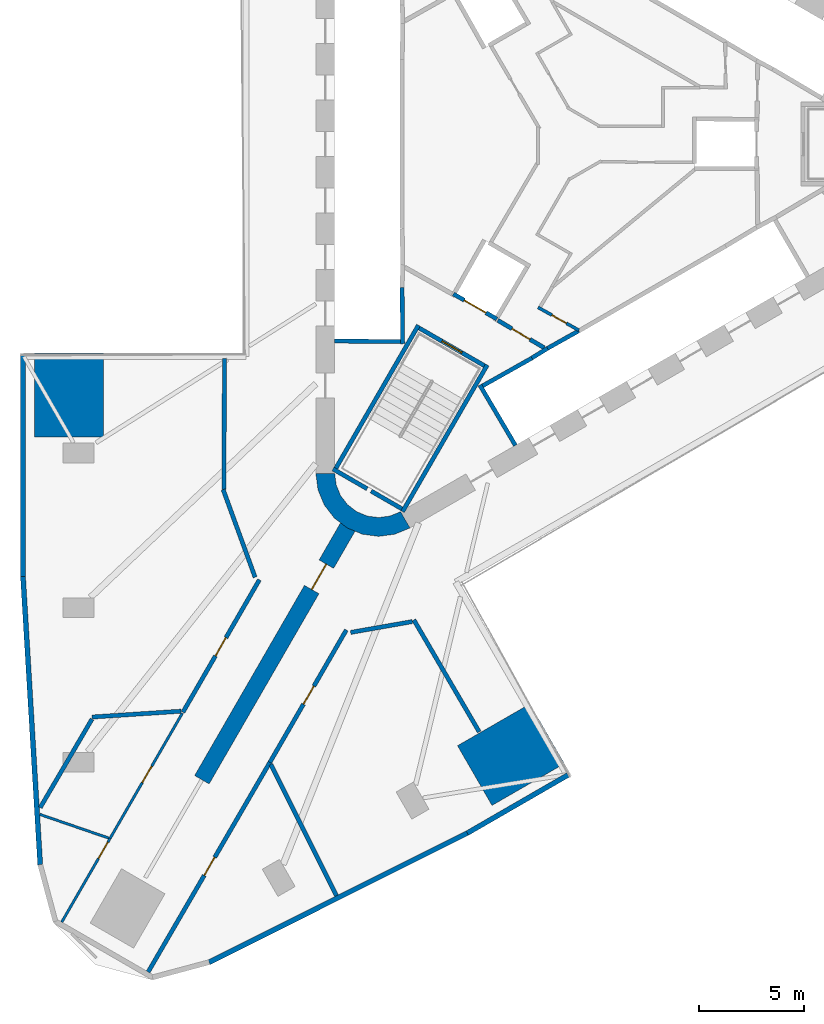
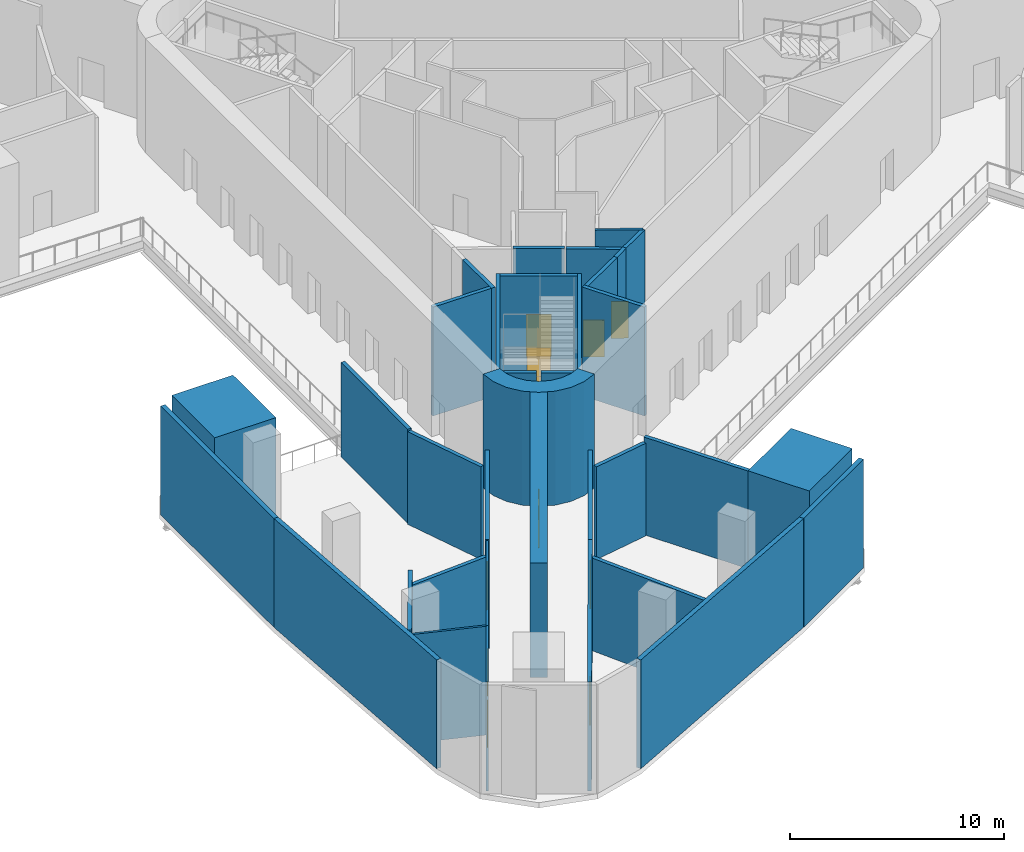
# One storey, part 3 of 11: 35 walls, 10 doors, 10 openings.
"""IFC4 building model written with IfcOpenShell, lengths in metres."""

import ifcopenshell
import ifcopenshell.guid

model = None  # the IFC model being written
_history = None  # IfcOwnerHistory: only IFC2X3 demands one
_inside = {}  # id of a spatial element -> (the spatial element, [elements in it])
_under = {}  # id of a project, library or spatial element -> (it, [spatial elements below it])
_declared = {}  # id of a project -> (the project, [libraries it declares])
_typed = {}  # id of a type object -> (the type object, [elements of that type])
_made_of = {}  # id of a material, layer set ... -> (it, [elements and type objects made of it])


def new_model(schema):
    """Start an empty IFC model of exactly this schema.

    Asked for "IFC4X3", IfcOpenShell would pick the latest addendum, in which some entities
    have other attributes; the version numbers below select the first issue.
    IFC2X3 requires an IfcOwnerHistory on every rooted entity: one is made here for all.
    """
    global model, _history
    if schema == "IFC4X3":
        model = ifcopenshell.file(schema_version=(4, 3, 0, 0))
    else:
        model = ifcopenshell.file(schema=schema)
    _inside.clear()
    _under.clear()
    _declared.clear()
    _typed.clear()
    _made_of.clear()
    _history = None
    if model.schema == "IFC2X3":
        org = make("IfcOrganization", Name="unknown")
        user = make(
            "IfcPersonAndOrganization",
            ThePerson=make("IfcPerson", FamilyName="unknown"),
            TheOrganization=org,
        )
        app = make(
            "IfcApplication",
            ApplicationDeveloper=org,
            Version="unknown",
            ApplicationFullName="unknown",
            ApplicationIdentifier="unknown",
        )
        _history = make(
            "IfcOwnerHistory",
            OwningUser=user,
            OwningApplication=app,
            ChangeAction="ADDED",
            CreationDate=0,
        )
    return model


def make(cls, **values):
    """One entity of the class cls with the attributes given. An attribute that is None is left unset."""
    return model.create_entity(
        cls, **{name: value for name, value in values.items() if value is not None}
    )


def rooted(cls, **values):
    """An entity with a GlobalId (a new one), such as an element, a storey or a relation."""
    return make(cls, GlobalId=ifcopenshell.guid.new(), OwnerHistory=_history, **values)


def si_unit(unit_type, name, prefix=None):
    """IfcSIUnit, for example si_unit("LENGTHUNIT", "METRE", prefix="MILLI")."""
    return make("IfcSIUnit", UnitType=unit_type, Prefix=prefix, Name=name)


def assignment(units):
    """IfcUnitAssignment: the units of a project."""
    return None if units is None else make("IfcUnitAssignment", Units=units)


def point(xyz):
    """IfcCartesianPoint."""
    return None if xyz is None else make("IfcCartesianPoint", Coordinates=xyz)


def direction(xyz):
    """IfcDirection."""
    return None if xyz is None else make("IfcDirection", DirectionRatios=xyz)


def frame(location, z_axis=None, x_axis=None):
    """IfcAxis2Placement3D, a coordinate frame: its origin and axes. An axis left out is left unset."""
    return make(
        "IfcAxis2Placement3D",
        Location=point(location),
        Axis=direction(z_axis),
        RefDirection=direction(x_axis),
    )


def frame_2d(location, x_axis=None):
    """IfcAxis2Placement2D, a coordinate frame in the plane: its origin and x axis."""
    return make(
        "IfcAxis2Placement2D", Location=point(location), RefDirection=direction(x_axis)
    )


def origin():
    """The frame at (0, 0, 0) with its axes left unset."""
    return frame((0.0, 0.0, 0.0))


def place(relative_to, where):
    """IfcLocalPlacement: puts the frame where relative to a parent placement (None: the world)."""
    return make(
        "IfcLocalPlacement", PlacementRelTo=relative_to, RelativePlacement=where
    )


def context(
    kind, dimensions, precision=None, world=None, true_north=None, identifier=None
):
    """IfcGeometricRepresentationContext, for example the 3D "Model" context."""
    return make(
        "IfcGeometricRepresentationContext",
        ContextIdentifier=identifier,
        ContextType=kind,
        CoordinateSpaceDimension=dimensions,
        Precision=precision,
        WorldCoordinateSystem=world,
        TrueNorth=true_north,
    )


def subcontext(parent, identifier, kind, view, scale=None):
    """IfcGeometricRepresentationSubContext, for example "Body" below "Model"."""
    return make(
        "IfcGeometricRepresentationSubContext",
        ContextIdentifier=identifier,
        ContextType=kind,
        ParentContext=parent,
        TargetScale=scale,
        TargetView=view,
    )


def project(units=None, contexts=None):
    """IfcProject with its units and contexts."""
    return rooted(
        "IfcProject",
        Name="project",
        RepresentationContexts=contexts,
        UnitsInContext=assignment(units),
    )


def spatial(cls, under=None, at=None, **own):
    """A site, building, storey or space (cls), placed at a placement, below another one or the project."""
    s = rooted(cls, ObjectPlacement=at, **own)
    if under is not None:
        _under.setdefault(under.id(), (under, []))[1].append(s)
    return s


def polyline(points):
    """IfcPolyline through the points."""
    return make("IfcPolyline", Points=[point(p) for p in points])


def profile(cls, at=None, kind="AREA", **sizes):
    """A parametric profile (cls). Its sizes go by their IFC names, for example OverallWidth=200.0."""
    return make(cls, ProfileType=kind, Position=at, **sizes)


def rectangle(**sizes):
    """IfcRectangleProfileDef."""
    return profile("IfcRectangleProfileDef", **sizes)


def outline(outer, holes=None, kind="AREA"):
    """IfcArbitraryClosedProfileDef: a profile drawn as a closed curve; with holes, ...WithVoids."""
    if holes is None:
        return make("IfcArbitraryClosedProfileDef", ProfileType=kind, OuterCurve=outer)
    return make(
        "IfcArbitraryProfileDefWithVoids",
        ProfileType=kind,
        OuterCurve=outer,
        InnerCurves=holes,
    )


def extrude(swept, where, along, depth):
    """IfcExtrudedAreaSolid: the profile swept, set in the frame where, extruded along a direction by depth."""
    return make(
        "IfcExtrudedAreaSolid",
        SweptArea=swept,
        Position=where,
        ExtrudedDirection=direction(along),
        Depth=depth,
    )


def shape(context_of_items, identifier, shape_type, items):
    """IfcShapeRepresentation: the items that make up one representation, for example the "Body"."""
    return make(
        "IfcShapeRepresentation",
        ContextOfItems=context_of_items,
        RepresentationIdentifier=identifier,
        RepresentationType=shape_type,
        Items=items,
    )


def material(Name=None, Category=None):
    """IfcMaterial."""
    return make("IfcMaterial", Name=Name, Category=Category)


def layer(
    of_material, thickness, ventilated=None, Name=None, Category=None, Priority=None
):
    """IfcMaterialLayer: one layer of a wall or slab, of a material (None: an air gap)."""
    return make(
        "IfcMaterialLayer",
        Material=of_material,
        LayerThickness=thickness,
        IsVentilated=ventilated,
        Name=Name,
        Category=Category,
        Priority=Priority,
    )


def layer_set(layers, Name=None):
    """IfcMaterialLayerSet."""
    return make("IfcMaterialLayerSet", MaterialLayers=layers, LayerSetName=Name)


def made_of(thing, what):
    """Note that an element or type object is made of a material, layer set ...; save() writes the relation."""
    if what is not None:
        _made_of.setdefault(what.id(), (what, []))[1].append(thing)
    return thing


def type_object(cls, material=None, **own):
    """A type object (cls), such as IfcWallType, which elements share."""
    return made_of(rooted(cls, **own), material)


def element(
    cls,
    number,
    at=None,
    inside=None,
    cuts=None,
    type_object=None,
    material=None,
    context=None,
    identifier="Body",
    shape_type=None,
    held_by="IfcProductDefinitionShape",
    body=None,
    shapes=None,
    **own,
):
    """One element of the class cls, such as IfcWall. Its Tag is "e" and its number.

    at: its placement. inside: the storey or other place that contains it. cuts: it is an
    opening in that element (IfcRelVoidsElement). A single representation is given by context,
    identifier, shape_type and body (its items); several are given by shapes. held_by: the class
    of the entity that holds the representations. save() writes the other relations.
    """
    e = rooted(cls, Tag="e%d" % number, ObjectPlacement=at, **own)
    if body is not None:
        shapes = [shape(context, identifier, shape_type, body)]
    if shapes is not None:
        e.Representation = make(held_by, Representations=shapes)
    if inside is not None:
        _inside.setdefault(inside.id(), (inside, []))[1].append(e)
    if cuts is not None:
        rooted(
            "IfcRelVoidsElement", RelatingBuildingElement=cuts, RelatedOpeningElement=e
        )
    if type_object is not None:
        _typed.setdefault(type_object.id(), (type_object, []))[1].append(e)
    return made_of(e, material)


def fill(opening, filler):
    """IfcRelFillsElement: the door or window that sits in an opening."""
    return rooted(
        "IfcRelFillsElement",
        RelatingOpeningElement=opening,
        RelatedBuildingElement=filler,
    )


def aggregate(whole, parts):
    """IfcRelAggregates: a whole, such as a stair, and the parts it consists of."""
    return rooted("IfcRelAggregates", RelatingObject=whole, RelatedObjects=parts)


def save(model, path):
    """Write the relations noted so far, then the file.

    IfcRelAggregates (storeys below a building ...), IfcRelContainedInSpatialStructure (elements
    in a storey), IfcRelDefinesByType, IfcRelAssociatesMaterial and IfcRelDeclares: one each for
    every whole, place, type object, material and project.
    """
    for whole, parts in _under.values():
        aggregate(whole, parts)
    for where, things in _inside.values():
        rooted(
            "IfcRelContainedInSpatialStructure",
            RelatedElements=things,
            RelatingStructure=where,
        )
    for kind, things in _typed.values():
        rooted("IfcRelDefinesByType", RelatedObjects=things, RelatingType=kind)
    for what, things in _made_of.values():
        rooted("IfcRelAssociatesMaterial", RelatedObjects=things, RelatingMaterial=what)
    for by, libraries in _declared.values():
        rooted("IfcRelDeclares", RelatingContext=by, RelatedDefinitions=libraries)
    model.write(path)


model = new_model("IFC4")

# Units and contexts
model_context = context("Model", 3, precision=1e-05, world=origin(), true_north=direction((0.0, 1.0)))
body_context = subcontext(model_context, "Body", "Model", "MODEL_VIEW")
ifc_project = project(units=[si_unit("LENGTHUNIT", "METRE"), si_unit("AREAUNIT", "SQUARE_METRE"), si_unit("VOLUMEUNIT", "CUBIC_METRE"), si_unit("PLANEANGLEUNIT", "RADIAN"), si_unit("MASSUNIT", "GRAM", prefix="KILO")], contexts=[model_context])

# Site, building, storey
site_placement = place(None, origin())
site = spatial("IfcSite", under=ifc_project, at=site_placement, CompositionType="ELEMENT")
building_placement = place(site_placement, origin())
building = spatial("IfcBuilding", under=site, at=building_placement, Name="Tanit Gate Tower", CompositionType="ELEMENT")
storey_placement = place(building_placement, frame((0.0, 0.0, 9.0)))
storey = spatial("IfcBuildingStorey", under=building, at=storey_placement, Name="L01", CompositionType="ELEMENT", Elevation=9.0)

# Wall, opening, door
ifc_material_1 = material(Name="Concrete C60/75", Category="concrete")
ifc_layer_1 = layer(ifc_material_1, 0.800048828125)
ifc_layer_set_1 = layer_set([ifc_layer_1], Name="BUTTRESS FIN 800 C60/75")
wall_type_1 = type_object("IfcWallType", Name="BUTTRESS FIN 800 C60/75", PredefinedType="SHEAR", material=ifc_layer_set_1)
wall_1_placement = place(storey_placement, frame((-10.574951171875, -18.31640625, 0.0), z_axis=(0.0, 0.0, 1.0), x_axis=(-0.499996575515, -0.866027380903, 0.0)))
wall_1 = element("IfcWall", 1, at=wall_1_placement, inside=storey, type_object=wall_type_1, Name="BUTTRESS FIN", PredefinedType="SHEAR", context=body_context, shape_type="SweptSolid", body=[
    extrude(rectangle(XDim=13.9541015625, YDim=0.800048828125, at=frame_2d((6.97705078125, 0.0))), origin(), (0.0, 0.0, 1.0), 6.5),
])
opening_1_placement = place(wall_1_placement, frame((2.050048828125, 0.0, 0.0)))
opening_1 = element("IfcOpeningElement", 2, at=opening_1_placement, cuts=wall_1, Name="Opening P14-01-F-SW-1", PredefinedType="OPENING", context=body_context, shape_type="SweptSolid", body=[
    extrude(rectangle(XDim=1.39990234375, YDim=2.39990234375, at=frame_2d((0.699951171875, 1.199951171875))), frame((0.0, 0.41015625, 0.0), z_axis=(0.0, -1.0, 0.0), x_axis=(1.0, 0.0, 0.0)), (0.0, 0.0, 1.0), 0.820068359375),
])
ifc_material_2 = material(Name="Timber door leaf", Category="wood")
door_type_1 = type_object("IfcDoorType", Name="INT-DOOR-FIN-PAIR-1400", OperationType="NOTDEFINED", PredefinedType="NOTDEFINED", material=ifc_material_2)
door_1_placement = place(opening_1_placement, origin())
door_1 = element("IfcDoor", 3, at=door_1_placement, inside=storey, type_object=door_type_1, Name="Door P14-01-F-SW-1", OperationType="DOUBLE_DOOR_SINGLE_SWING", OverallHeight=2.39990234375, OverallWidth=1.39990234375, PredefinedType="NOTDEFINED", context=body_context, shape_type="SweptSolid", body=[
    extrude(rectangle(XDim=1.39990234375, YDim=2.39990234375, at=frame_2d((0.699951171875, 1.199951171875))), frame((0.0, 0.02490234375, 0.0), z_axis=(0.0, -1.0, 0.0), x_axis=(1.0, 0.0, 0.0)), (0.0, 0.0, 1.0), 0.050048828125),
])
fill(opening_1, door_1)

# Walls
ifc_material_3 = material(Name="Concrete C60/75", Category="concrete")
ifc_layer_2 = layer(ifc_material_3, 0.89990234375)
ifc_layer_set_2 = layer_set([ifc_layer_2], Name="CORE WALL 900 C60/75")
wall_type_2 = type_object("IfcWallType", Name="CORE WALL 900 C60/75", PredefinedType="SHEAR", material=ifc_layer_set_2)
wall_2_placement = place(storey_placement, origin())
element("IfcWall", 4, at=wall_2_placement, inside=storey, type_object=wall_type_2, Name="CORE WALL CORNER", PredefinedType="SHEAR", context=body_context, shape_type="SweptSolid", body=[
    extrude(outline(polyline([(-12.10009765625, -15.76171875), (-11.997802734375, -16.5380859375), (-11.697998046875, -17.26171875), (-11.22119140625, -17.883056640625), (-10.60009765625, -18.359619140625), (-9.87646484375, -18.659423828125), (-9.10009765625, -18.76171875), (-8.323486328125, -18.659423828125), (-7.60009765625, -18.359619140625), (-8.050048828125, -17.580322265625), (-8.556396484375, -17.7900390625), (-9.10009765625, -17.86181640625), (-9.6435546875, -17.7900390625), (-10.14990234375, -17.580322265625), (-10.5849609375, -17.24658203125), (-10.918701171875, -16.811767578125), (-11.12841796875, -16.30517578125), (-11.199951171875, -15.76171875), (-12.10009765625, -15.76171875)])), origin(), (0.0, 0.0, 1.0), 6.5),
])
ifc_material_4 = material(Name="Concrete C30/37 with bronze anodised aluminium cladding", Category="concrete")
ifc_layer_3 = layer(ifc_material_4, 0.239990234375)
ifc_layer_set_3 = layer_set([ifc_layer_3], Name="Facade wall bronze clad 240")
wall_type_3 = type_object("IfcWallType", Name="Facade wall bronze clad 240", PredefinedType="SOLIDWALL", material=ifc_layer_set_3)
wall_3_placement = place(storey_placement, frame((-26.107666015625, -10.119384765625, 0.0), z_axis=(0.0, 0.0, 1.0), x_axis=(6.9319284e-05, -0.999999997597, 0.0)))
element("IfcWall", 5, at=wall_3_placement, inside=storey, type_object=wall_type_3, Name="Bronze-clad facade wall L01 W2b", PredefinedType="SOLIDWALL", context=body_context, shape_type="SweptSolid", body=[
    extrude(rectangle(XDim=10.56591796875, YDim=0.239990234375, at=frame_2d((5.282958984375, 0.0))), origin(), (0.0, 0.0, 1.0), 6.199951171875),
])
wall_4_placement = place(storey_placement, frame((-26.10693359375, -20.685302734375, 0.0), z_axis=(0.0, 0.0, 1.0), x_axis=(0.059596169304, -0.998222568671, 0.0)))
element("IfcWall", 6, at=wall_4_placement, inside=storey, type_object=wall_type_3, Name="Bronze-clad facade wall L01 W3", PredefinedType="SOLIDWALL", context=body_context, shape_type="SweptSolid", body=[
    extrude(rectangle(XDim=13.80126953125, YDim=0.239990234375, at=frame_2d((6.900634765625, 0.0))), origin(), (0.0, 0.0, 1.0), 6.199951171875),
])
wall_5_placement = place(storey_placement, frame((-17.202880859375, -39.1279296875, 0.0), z_axis=(0.0, 0.0, 1.0), x_axis=(0.894377655106, 0.447312653573, 0.0)))
element("IfcWall", 7, at=wall_5_placement, inside=storey, type_object=wall_type_3, Name="Bronze-clad facade wall L01 SE1", PredefinedType="SOLIDWALL", context=body_context, shape_type="SweptSolid", body=[
    extrude(rectangle(XDim=13.801513671875, YDim=0.239990234375, at=frame_2d((6.90087890625, 0.0))), origin(), (0.0, 0.0, 1.0), 6.199951171875),
])
wall_6_placement = place(storey_placement, frame((-4.859130859375, -32.954345703125, 0.0), z_axis=(0.0, 0.0, 1.0), x_axis=(0.865999312459, 0.500045188778, 0.0)))
element("IfcWall", 8, at=wall_6_placement, inside=storey, type_object=wall_type_3, Name="Bronze-clad facade wall L01 SE2a", PredefinedType="SOLIDWALL", context=body_context, shape_type="SweptSolid", body=[
    extrude(rectangle(XDim=5.56591796875, YDim=0.239990234375, at=frame_2d((2.782958984375, 0.0))), origin(), (0.0, 0.0, 1.0), 6.199951171875),
])

# Wall, opening, door
ifc_material_5 = material(Name="Fire-rated gypsum board partition")
ifc_layer_4 = layer(ifc_material_5, 0.199951171875)
ifc_layer_set_4 = layer_set([ifc_layer_4], Name="INT-WALL-COMPARTMENT")
wall_type_4 = type_object("IfcWallType", Name="INT-WALL-COMPARTMENT", PredefinedType="PARTITIONING", material=ifc_layer_set_4)
wall_7_placement = place(storey_placement, frame((-3.400634765625, -8.43017578125, 0.0), z_axis=(0.0, 0.0, 1.0), x_axis=(0.860598681535, -0.509283721849, 0.0)))
wall_7 = element("IfcWall", 9, at=wall_7_placement, inside=storey, type_object=wall_type_4, Name="Wall Compartment W067", PredefinedType="PARTITIONING", context=body_context, shape_type="SweptSolid", body=[
    extrude(rectangle(XDim=2.5810546875, YDim=0.199951171875, at=frame_2d((1.29052734375, 0.0))), origin(), (0.0, 0.0, 1.0), 6.199951171875),
])
opening_2_placement = place(wall_7_placement, frame((0.79052734375, 0.0, 0.0)))
opening_2 = element("IfcOpeningElement", 10, at=opening_2_placement, cuts=wall_7, Name="Opening F10-01-08", PredefinedType="OPENING", context=body_context, shape_type="SweptSolid", body=[
    extrude(rectangle(XDim=1.0, YDim=2.10009765625, at=frame_2d((0.5, 1.050048828125))), frame((0.0, 0.10986328125, 0.0), z_axis=(0.0, -1.0, 0.0), x_axis=(1.0, 0.0, 0.0)), (0.0, 0.0, 1.0), 0.219970703125),
])
ifc_material_6 = material(Name="Fire-rated steel door leaf", Category="steel")
door_type_2 = type_object("IfcDoorType", Name="INT-DOOR-FIRE-1000", OperationType="NOTDEFINED", PredefinedType="USERDEFINED", material=ifc_material_6)
door_2_placement = place(opening_2_placement, origin())
door_2 = element("IfcDoor", 11, at=door_2_placement, inside=storey, type_object=door_type_2, Name="Door F10-01-08", ObjectType="FIRE DOOR", OperationType="SINGLE_SWING_RIGHT", OverallHeight=2.10009765625, OverallWidth=1.0, PredefinedType="USERDEFINED", context=body_context, shape_type="SweptSolid", body=[
    extrude(rectangle(XDim=1.0, YDim=2.10009765625, at=frame_2d((0.5, 1.050048828125))), frame((0.0, 0.02490234375, 0.0), z_axis=(0.0, -1.0, 0.0), x_axis=(1.0, 0.0, 0.0)), (0.0, 0.0, 1.0), 0.050048828125),
])
fill(opening_2, door_2)

wall_8_placement = place(storey_placement, frame((-18.458740234375, -27.171630859375, 0.0), z_axis=(0.0, 0.0, 1.0), x_axis=(0.49998445949, 0.866034375916, 0.0)))
wall_8 = element("IfcWall", 12, at=wall_8_placement, inside=storey, type_object=wall_type_4, Name="Wall Compartment W096", PredefinedType="PARTITIONING", context=body_context, shape_type="SweptSolid", body=[
    extrude(rectangle(XDim=7.313232421875, YDim=0.199951171875, at=frame_2d((3.65673828125, 0.0))), origin(), (0.0, 0.0, 1.0), 6.199951171875),
])
opening_3_placement = place(wall_8_placement, frame((3.114501953125, 0.0, 0.0)))
opening_3 = element("IfcOpeningElement", 13, at=opening_3_placement, cuts=wall_8, Name="Opening F10-01-18", PredefinedType="OPENING", context=body_context, shape_type="SweptSolid", body=[
    extrude(rectangle(XDim=1.0, YDim=2.10009765625, at=frame_2d((0.5, 1.050048828125))), frame((0.0, 0.10986328125, 0.0), z_axis=(0.0, -1.0, 0.0), x_axis=(1.0, 0.0, 0.0)), (0.0, 0.0, 1.0), 0.219970703125),
])
door_3_placement = place(opening_3_placement, origin())
door_3 = element("IfcDoor", 14, at=door_3_placement, inside=storey, type_object=door_type_2, Name="Door F10-01-18", ObjectType="FIRE DOOR", OperationType="SINGLE_SWING_LEFT", OverallHeight=2.10009765625, OverallWidth=1.0, PredefinedType="USERDEFINED", context=body_context, shape_type="SweptSolid", body=[
    extrude(rectangle(XDim=1.0, YDim=2.10009765625, at=frame_2d((0.5, 1.050048828125))), frame((0.0, 0.02490234375, 0.0), z_axis=(0.0, -1.0, 0.0), x_axis=(1.0, 0.0, 0.0)), (0.0, 0.0, 1.0), 0.050048828125),
])
fill(opening_3, door_3)

# Walls
wall_9_placement = place(storey_placement, frame((-16.5341796875, -16.52294921875, 0.0), z_axis=(0.0, 0.0, 1.0), x_axis=(0.34204600053, -0.93968320913, 0.0)))
element("IfcWall", 15, at=wall_9_placement, inside=storey, type_object=wall_type_4, Name="Wall Compartment W097", PredefinedType="PARTITIONING", context=body_context, shape_type="SweptSolid", body=[
    extrude(rectangle(XDim=4.464599609375, YDim=0.199951171875, at=frame_2d((2.232421875, 0.0))), origin(), (0.0, 0.0, 1.0), 5.280029296875),
])
wall_10_placement = place(storey_placement, frame((-16.469970703125, -10.2451171875, 0.0), z_axis=(0.0, 0.0, 1.0), x_axis=(-0.004710134991, -0.999988907253, 0.0)))
element("IfcWall", 16, at=wall_10_placement, inside=storey, type_object=wall_type_4, Name="Wall Compartment W098", PredefinedType="PARTITIONING", context=body_context, shape_type="SweptSolid", body=[
    extrude(rectangle(XDim=6.271728515625, YDim=0.199951171875, at=frame_2d((3.1357421875, 0.0))), origin(), (0.0, 0.0, 1.0), 5.3798828125),
])
wall_11_placement = place(storey_placement, frame((-22.799072265625, -27.401123046875, 0.0), z_axis=(0.0, 0.0, 1.0), x_axis=(0.997858297663, 0.065412672977, 0.0)))
element("IfcWall", 17, at=wall_11_placement, inside=storey, type_object=wall_type_4, Name="Wall Compartment W103", PredefinedType="PARTITIONING", context=body_context, shape_type="SweptSolid", body=[
    extrude(rectangle(XDim=4.26220703125, YDim=0.199951171875, at=frame_2d((2.131103515625, 0.0))), origin(), (0.0, 0.0, 1.0), 5.280029296875),
])
wall_12_placement = place(storey_placement, frame((-25.283935546875, -31.733154296875, 0.0), z_axis=(0.0, 0.0, 1.0), x_axis=(0.505158397, 0.863026647295, 0.0)))
element("IfcWall", 18, at=wall_12_placement, inside=storey, type_object=wall_type_4, Name="Wall Compartment W104", PredefinedType="PARTITIONING", context=body_context, shape_type="SweptSolid", body=[
    extrude(rectangle(XDim=4.903076171875, YDim=0.199951171875, at=frame_2d((2.45166015625, 0.0))), origin(), (0.0, 0.0, 1.0), 6.199951171875),
])

# Wall, opening, door
wall_13_placement = place(storey_placement, frame((-14.2998046875, -29.567626953125, 0.0), z_axis=(0.0, 0.0, 1.0), x_axis=(-0.502133484881, -0.864790126772, 0.0)))
wall_13 = element("IfcWall", 19, at=wall_13_placement, inside=storey, type_object=wall_type_4, Name="Wall Compartment W117", PredefinedType="PARTITIONING", context=body_context, shape_type="SweptSolid", body=[
    extrude(rectangle(XDim=11.591064453125, YDim=0.199951171875, at=frame_2d((5.79541015625, 0.0))), origin(), (0.0, 0.0, 1.0), 6.199951171875),
])
opening_4_placement = place(wall_13_placement, frame((5.250244140625, 0.0, 0.0)))
opening_4 = element("IfcOpeningElement", 20, at=opening_4_placement, cuts=wall_13, Name="Opening F10-01-25", PredefinedType="OPENING", context=body_context, shape_type="SweptSolid", body=[
    extrude(rectangle(XDim=1.0, YDim=2.10009765625, at=frame_2d((0.5, 1.050048828125))), frame((0.0, 0.10986328125, 0.0), z_axis=(0.0, -1.0, 0.0), x_axis=(1.0, 0.0, 0.0)), (0.0, 0.0, 1.0), 0.219970703125),
])
door_4_placement = place(opening_4_placement, origin())
door_4 = element("IfcDoor", 21, at=door_4_placement, inside=storey, type_object=door_type_2, Name="Door F10-01-25", ObjectType="FIRE DOOR", OperationType="SINGLE_SWING_LEFT", OverallHeight=2.10009765625, OverallWidth=1.0, PredefinedType="USERDEFINED", context=body_context, shape_type="SweptSolid", body=[
    extrude(rectangle(XDim=1.0, YDim=2.10009765625, at=frame_2d((0.5, 1.050048828125))), frame((0.0, 0.02490234375, 0.0), z_axis=(0.0, -1.0, 0.0), x_axis=(1.0, 0.0, 0.0)), (0.0, 0.0, 1.0), 0.050048828125),
])
fill(opening_4, door_4)

# Walls
wall_14_placement = place(storey_placement, frame((-7.41552734375, -22.7568359375, 0.0), z_axis=(0.0, 0.0, 1.0), x_axis=(0.504238037334, -0.863564706149, 0.0)))
element("IfcWall", 22, at=wall_14_placement, inside=storey, type_object=wall_type_4, Name="Wall Compartment W118", PredefinedType="PARTITIONING", context=body_context, shape_type="SweptSolid", body=[
    extrude(rectangle(XDim=6.203369140625, YDim=0.199951171875, at=frame_2d((3.1015625, 0.0))), origin(), (0.0, 0.0, 1.0), 5.570068359375),
])
wall_15_placement = place(storey_placement, frame((-10.43896484375, -23.355712890625, 0.0), z_axis=(0.0, 0.0, 1.0), x_axis=(0.984852321706, 0.17339522609, 0.0)))
element("IfcWall", 23, at=wall_15_placement, inside=storey, type_object=wall_type_4, Name="Wall Compartment W119", PredefinedType="PARTITIONING", context=body_context, shape_type="SweptSolid", body=[
    extrude(rectangle(XDim=2.9990234375, YDim=0.199951171875, at=frame_2d((1.49951171875, 0.0))), origin(), (0.0, 0.0, 1.0), 5.280029296875),
])

# Wall, opening, door
wall_16_placement = place(storey_placement, frame((-10.644287109375, -23.23779296875, 0.0), z_axis=(0.0, 0.0, 1.0), x_axis=(-0.500076141041, -0.865981439271, 0.0)))
wall_16 = element("IfcWall", 24, at=wall_16_placement, inside=storey, type_object=wall_type_4, Name="Wall Compartment W120", PredefinedType="PARTITIONING", context=body_context, shape_type="SweptSolid", body=[
    extrude(rectangle(XDim=7.309326171875, YDim=0.199951171875, at=frame_2d((3.65478515625, 0.0))), origin(), (0.0, 0.0, 1.0), 6.199951171875),
])
opening_5_placement = place(wall_16_placement, frame((3.095947265625, 0.0, 0.0)))
opening_5 = element("IfcOpeningElement", 25, at=opening_5_placement, cuts=wall_16, Name="Opening F10-01-26", PredefinedType="OPENING", context=body_context, shape_type="SweptSolid", body=[
    extrude(rectangle(XDim=1.0, YDim=2.10009765625, at=frame_2d((0.5, 1.050048828125))), frame((0.0, 0.10986328125, 0.0), z_axis=(0.0, -1.0, 0.0), x_axis=(1.0, 0.0, 0.0)), (0.0, 0.0, 1.0), 0.219970703125),
])
door_5_placement = place(opening_5_placement, origin())
door_5 = element("IfcDoor", 26, at=door_5_placement, inside=storey, type_object=door_type_2, Name="Door F10-01-26", ObjectType="FIRE DOOR", OperationType="SINGLE_SWING_LEFT", OverallHeight=2.10009765625, OverallWidth=1.0, PredefinedType="USERDEFINED", context=body_context, shape_type="SweptSolid", body=[
    extrude(rectangle(XDim=1.0, YDim=2.10009765625, at=frame_2d((0.5, 1.050048828125))), frame((0.0, 0.02490234375, 0.0), z_axis=(0.0, -1.0, 0.0), x_axis=(1.0, 0.0, 0.0)), (0.0, 0.0, 1.0), 0.050048828125),
])
fill(opening_5, door_5)

# Wall
wall_17_placement = place(storey_placement, frame((-14.24755859375, -29.677001953125, 0.0), z_axis=(0.0, 0.0, 1.0), x_axis=(0.447311167727, -0.894378398233, 0.0)))
element("IfcWall", 27, at=wall_17_placement, inside=storey, type_object=wall_type_4, Name="Wall Compartment W125", PredefinedType="PARTITIONING", context=body_context, shape_type="SweptSolid", body=[
    extrude(rectangle(XDim=7.005859375, YDim=0.199951171875, at=frame_2d((3.5029296875, 0.0))), origin(), (0.0, 0.0, 1.0), 5.280029296875),
])

# Wall, opening, door
ifc_material_7 = material(Name="Gypsum board partition")
ifc_layer_5 = layer(ifc_material_7, 0.1201171875)
ifc_layer_set_5 = layer_set([ifc_layer_5], Name="INT-WALL-PARTITION")
wall_type_5 = type_object("IfcWallType", Name="INT-WALL-PARTITION", PredefinedType="PARTITIONING", material=ifc_layer_set_5)
wall_18_placement = place(storey_placement, frame((-24.2548828125, -37.21044921875, 0.0), z_axis=(0.0, 0.0, 1.0), x_axis=(0.500011914892, 0.866018524609, 0.0)))
wall_18 = element("IfcWall", 28, at=wall_18_placement, inside=storey, type_object=wall_type_5, Name="Wall Partition W101", PredefinedType="PARTITIONING", context=body_context, shape_type="SweptSolid", body=[
    extrude(rectangle(XDim=4.6240234375, YDim=0.1201171875, at=frame_2d((2.31201171875, 0.0))), origin(), (0.0, 0.0, 1.0), 6.199951171875),
])
opening_6_placement = place(wall_18_placement, frame((3.517822265625, 0.0, 0.0)))
opening_6 = element("IfcOpeningElement", 29, at=opening_6_placement, cuts=wall_18, Name="Opening D09-01-20", PredefinedType="OPENING", context=body_context, shape_type="SweptSolid", body=[
    extrude(rectangle(XDim=0.89990234375, YDim=2.10009765625, at=frame_2d((0.449951171875, 1.050048828125))), frame((0.0, 0.070068359375, 0.0), z_axis=(0.0, -1.0, 0.0), x_axis=(1.0, 0.0, 0.0)), (0.0, 0.0, 1.0), 0.14013671875),
])
ifc_material_8 = material(Name="Timber door leaf", Category="wood")
door_type_3 = type_object("IfcDoorType", Name="INT-DOOR-SINGLE-900", OperationType="NOTDEFINED", PredefinedType="NOTDEFINED", material=ifc_material_8)
door_6_placement = place(opening_6_placement, origin())
door_6 = element("IfcDoor", 30, at=door_6_placement, inside=storey, type_object=door_type_3, Name="Door D09-01-20", OperationType="SINGLE_SWING_LEFT", OverallHeight=2.10009765625, OverallWidth=0.89990234375, PredefinedType="NOTDEFINED", context=body_context, shape_type="SweptSolid", body=[
    extrude(rectangle(XDim=0.89990234375, YDim=2.10009765625, at=frame_2d((0.449951171875, 1.050048828125))), frame((0.0, 0.02490234375, 0.0), z_axis=(0.0, -1.0, 0.0), x_axis=(1.0, 0.0, 0.0)), (0.0, 0.0, 1.0), 0.050048828125),
])
fill(opening_6, door_6)

wall_19_placement = place(storey_placement, frame((-21.94287109375, -33.2060546875, 0.0), z_axis=(0.0, 0.0, 1.0), x_axis=(0.500001642027, 0.866024455758, 0.0)))
wall_19 = element("IfcWall", 31, at=wall_19_placement, inside=storey, type_object=wall_type_5, Name="Wall Partition W099", PredefinedType="PARTITIONING", context=body_context, shape_type="SweptSolid", body=[
    extrude(rectangle(XDim=6.91357421875, YDim=0.1201171875, at=frame_2d((3.456787109375, 0.0))), origin(), (0.0, 0.0, 1.0), 6.199951171875),
])
opening_7_placement = place(wall_19_placement, frame((3.083984375, 0.0, 0.0)))
opening_7 = element("IfcOpeningElement", 32, at=opening_7_placement, cuts=wall_19, Name="Opening D09-01-19", PredefinedType="OPENING", context=body_context, shape_type="SweptSolid", body=[
    extrude(rectangle(XDim=0.89990234375, YDim=2.10009765625, at=frame_2d((0.449951171875, 1.050048828125))), frame((0.0, 0.070068359375, 0.0), z_axis=(0.0, -1.0, 0.0), x_axis=(1.0, 0.0, 0.0)), (0.0, 0.0, 1.0), 0.14013671875),
])
door_7_placement = place(opening_7_placement, origin())
door_7 = element("IfcDoor", 33, at=door_7_placement, inside=storey, type_object=door_type_3, Name="Door D09-01-19", OperationType="SINGLE_SWING_LEFT", OverallHeight=2.10009765625, OverallWidth=0.89990234375, PredefinedType="NOTDEFINED", context=body_context, shape_type="SweptSolid", body=[
    extrude(rectangle(XDim=0.89990234375, YDim=2.10009765625, at=frame_2d((0.449951171875, 1.050048828125))), frame((0.0, 0.02490234375, 0.0), z_axis=(0.0, -1.0, 0.0), x_axis=(1.0, 0.0, 0.0)), (0.0, 0.0, 1.0), 0.050048828125),
])
fill(opening_7, door_7)

# Wall
wall_20_placement = place(storey_placement, frame((-25.302734375, -32.05810546875, 0.0), z_axis=(0.0, 0.0, 1.0), x_axis=(0.945753144858, -0.324886116956, 0.0)))
element("IfcWall", 34, at=wall_20_placement, inside=storey, type_object=wall_type_5, Name="Wall Partition W105", PredefinedType="PARTITIONING", context=body_context, shape_type="SweptSolid", body=[
    extrude(rectangle(XDim=3.48828125, YDim=0.1201171875, at=frame_2d((1.744140625, 0.0))), origin(), (0.0, 0.0, 1.0), 6.199951171875),
])

# Wall, opening, door
ifc_material_9 = material(Name="Fire-rated gypsum board partition")
ifc_layer_6 = layer(ifc_material_9, 0.14990234375)
ifc_layer_set_6 = layer_set([ifc_layer_6], Name="INT-WALL-RISER")
wall_type_6 = type_object("IfcWallType", Name="INT-WALL-RISER", PredefinedType="PLUMBINGWALL", material=ifc_layer_set_6)
wall_21_placement = place(storey_placement, frame((-1.47705078125, -7.808349609375, 0.0), z_axis=(0.0, 0.0, 1.0), x_axis=(0.871822901869, -0.48982122022, 0.0)))
wall_21 = element("IfcWall", 35, at=wall_21_placement, inside=storey, type_object=wall_type_6, Name="Wall Riser W072", PredefinedType="PLUMBINGWALL", context=body_context, shape_type="SweptSolid", body=[
    extrude(rectangle(XDim=2.239501953125, YDim=0.14990234375, at=frame_2d((1.11962890625, 0.0))), origin(), (0.0, 0.0, 1.0), 6.199951171875),
])
opening_8_placement = place(wall_21_placement, frame((0.75732421875, 0.0, 0.0)))
opening_8 = element("IfcOpeningElement", 36, at=opening_8_placement, cuts=wall_21, Name="Opening R08-01-11", PredefinedType="OPENING", context=body_context, shape_type="SweptSolid", body=[
    extrude(rectangle(XDim=0.800048828125, YDim=2.10009765625, at=frame_2d((0.39990234375, 1.050048828125))), frame((0.0, 0.0849609375, 0.0), z_axis=(0.0, -1.0, 0.0), x_axis=(1.0, 0.0, 0.0)), (0.0, 0.0, 1.0), 0.169921875),
])
ifc_material_10 = material(Name="Timber door leaf", Category="wood")
door_type_4 = type_object("IfcDoorType", Name="INT-DOOR-RISER-800", OperationType="NOTDEFINED", PredefinedType="USERDEFINED", material=ifc_material_10)
door_8_placement = place(opening_8_placement, origin())
door_8 = element("IfcDoor", 37, at=door_8_placement, inside=storey, type_object=door_type_4, Name="Door R08-01-11", ObjectType="FIRE DOOR", OperationType="SINGLE_SWING_LEFT", OverallHeight=2.10009765625, OverallWidth=0.800048828125, PredefinedType="USERDEFINED", context=body_context, shape_type="SweptSolid", body=[
    extrude(rectangle(XDim=0.800048828125, YDim=2.10009765625, at=frame_2d((0.39990234375, 1.050048828125))), frame((0.0, 0.02490234375, 0.0), z_axis=(0.0, -1.0, 0.0), x_axis=(1.0, 0.0, 0.0)), (0.0, 0.0, 1.0), 0.050048828125),
])
fill(opening_8, door_8)

# Walls
ifc_material_11 = material(Name="Gypsum shaft wall system")
ifc_layer_7 = layer(ifc_material_11, 0.199951171875)
ifc_layer_set_7 = layer_set([ifc_layer_7], Name="INT-WALL-SHAFT")
wall_type_7 = type_object("IfcWallType", Name="INT-WALL-SHAFT", PredefinedType="PLUMBINGWALL", material=ifc_layer_set_7)
wall_22_placement = place(storey_placement, frame((-7.97900390625, -6.85009765625, 0.0), z_axis=(0.0, 0.0, 1.0), x_axis=(0.011121475088, -0.999938154483, 0.0)))
element("IfcWall", 38, at=wall_22_placement, inside=storey, type_object=wall_type_7, Name="Wall Shaft W011", PredefinedType="PLUMBINGWALL", context=body_context, shape_type="SweptSolid", body=[
    extrude(rectangle(XDim=2.7001953125, YDim=0.199951171875, at=frame_2d((1.35009765625, 0.0))), origin(), (0.0, 0.0, 1.0), 6.199951171875),
])
wall_23_placement = place(storey_placement, frame((-8.050048828125, -9.448974609375, 0.0), z_axis=(0.0, 0.0, 1.0), x_axis=(-0.999957467379, 0.009222983926, 0.0)))
element("IfcWall", 39, at=wall_23_placement, inside=storey, type_object=wall_type_7, Name="Wall Shaft W012", PredefinedType="PLUMBINGWALL", context=body_context, shape_type="SweptSolid", body=[
    extrude(rectangle(XDim=3.150146484375, YDim=0.199951171875, at=frame_2d((1.5751953125, 0.0))), origin(), (0.0, 0.0, 1.0), 6.199951171875),
])
wall_24_placement = place(storey_placement, frame((-2.557861328125, -14.409423828125, 0.0), z_axis=(0.0, 0.0, 1.0), x_axis=(-0.507997497166, 0.861358544901, 0.0)))
element("IfcWall", 40, at=wall_24_placement, inside=storey, type_object=wall_type_7, Name="Wall Shaft W027", PredefinedType="PLUMBINGWALL", context=body_context, shape_type="SweptSolid", body=[
    extrude(rectangle(XDim=3.350341796875, YDim=0.199951171875, at=frame_2d((1.67529296875, 0.0))), origin(), (0.0, 0.0, 1.0), 6.199951171875),
])
wall_25_placement = place(storey_placement, frame((-1.7685546875, -10.23681640625, 0.0), z_axis=(0.0, 0.0, 1.0), x_axis=(-0.871534483978, -0.490334215854, 0.0)))
element("IfcWall", 41, at=wall_25_placement, inside=storey, type_object=wall_type_7, Name="Wall Shaft W028", PredefinedType="PLUMBINGWALL", context=body_context, shape_type="SweptSolid", body=[
    extrude(rectangle(XDim=2.7001953125, YDim=0.199951171875, at=frame_2d((1.35009765625, 0.0))), origin(), (0.0, 0.0, 1.0), 6.199951171875),
])
wall_26_placement = place(storey_placement, frame((-1.02392578125, -9.77099609375, 0.0), z_axis=(0.0, 0.0, 1.0), x_axis=(-0.850348075135, -0.526220629693, 0.0)))
element("IfcWall", 42, at=wall_26_placement, inside=storey, type_object=wall_type_7, Name="Wall Shaft W029", PredefinedType="PLUMBINGWALL", context=body_context, shape_type="SweptSolid", body=[
    extrude(rectangle(XDim=0.878173828125, YDim=0.199951171875, at=frame_2d((0.43896484375, 0.0))), origin(), (0.0, 0.0, 1.0), 6.199951171875),
])
wall_27_placement = place(storey_placement, frame((-1.13037109375, -9.83154296875, 0.0), z_axis=(0.0, 0.0, 1.0), x_axis=(0.871988740738, 0.489525929882, 0.0)))
element("IfcWall", 43, at=wall_27_placement, inside=storey, type_object=wall_type_7, Name="Wall Shaft W030", PredefinedType="PLUMBINGWALL", context=body_context, shape_type="SweptSolid", body=[
    extrude(rectangle(XDim=1.8447265625, YDim=0.199951171875, at=frame_2d((0.92236328125, 0.0))), origin(), (0.0, 0.0, 1.0), 6.199951171875),
])

# Wall, opening, door
wall_28_placement = place(storey_placement, frame((-3.44580078125, -8.3681640625, 0.0), z_axis=(0.0, 0.0, 1.0), x_axis=(-0.866024647952, 0.500001309137, 0.0)))
wall_28 = element("IfcWall", 44, at=wall_28_placement, inside=storey, type_object=wall_type_7, Name="Wall Shaft W056", PredefinedType="PLUMBINGWALL", context=body_context, shape_type="SweptSolid", body=[
    extrude(rectangle(XDim=2.39990234375, YDim=0.199951171875, at=frame_2d((1.199951171875, 0.0))), origin(), (0.0, 0.0, 1.0), 6.199951171875),
])
opening_9_placement = place(wall_28_placement, frame((0.60009765625, 0.0, 0.0)))
opening_9 = element("IfcOpeningElement", 45, at=opening_9_placement, cuts=wall_28, Name="Opening LDFL3-L01", PredefinedType="OPENING", context=body_context, shape_type="SweptSolid", body=[
    extrude(rectangle(XDim=1.199951171875, YDim=2.39990234375, at=frame_2d((0.60009765625, 1.199951171875))), frame((0.0, 0.10986328125, 0.0), z_axis=(0.0, -1.0, 0.0), x_axis=(1.0, 0.0, 0.0)), (0.0, 0.0, 1.0), 0.219970703125),
])
ifc_material_12 = material(Name="Stainless steel sliding door leaf", Category="steel")
door_type_5 = type_object("IfcDoorType", Name="INT-DOOR-LANDING-1200", OperationType="NOTDEFINED", PredefinedType="USERDEFINED", material=ifc_material_12)
door_9_placement = place(opening_9_placement, origin())
door_9 = element("IfcDoor", 46, at=door_9_placement, inside=storey, type_object=door_type_5, Name="Door LDFL3-L01", ObjectType="LANDING DOOR", OperationType="SLIDING_TO_LEFT", OverallHeight=2.39990234375, OverallWidth=1.199951171875, PredefinedType="USERDEFINED", context=body_context, shape_type="SweptSolid", body=[
    extrude(rectangle(XDim=1.199951171875, YDim=2.39990234375, at=frame_2d((0.60009765625, 1.199951171875))), frame((0.0, 0.02490234375, 0.0), z_axis=(0.0, -1.0, 0.0), x_axis=(1.0, 0.0, 0.0)), (0.0, 0.0, 1.0), 0.050048828125),
])
fill(opening_9, door_9)

# Walls
ifc_material_13 = material(Name="Concrete C40/50", Category="concrete")
ifc_layer_8 = layer(ifc_material_13, 0.199951171875)
ifc_layer_set_8 = layer_set([ifc_layer_8], Name="INT-WALL-STAIR")
wall_type_8 = type_object("IfcWallType", Name="INT-WALL-STAIR", PredefinedType="SHEAR", material=ifc_layer_set_8)
wall_29_placement = place(storey_placement, frame((-3.904541015625, -10.56298828125, -0.300048828125), z_axis=(0.0, 0.0, 1.0), x_axis=(-0.500012932018, -0.866017937352, 0.0)))
element("IfcWall", 47, at=wall_29_placement, inside=storey, type_object=wall_type_8, Name="Wall Stair W051", PredefinedType="SHEAR", context=body_context, shape_type="SweptSolid", body=[
    extrude(rectangle(XDim=8.099853515625, YDim=0.199951171875, at=frame_2d((4.0498046875, 0.0))), origin(), (0.0, 0.0, 1.0), 6.5),
])
wall_30_placement = place(storey_placement, frame((-11.281982421875, -15.541015625, -0.300048828125), z_axis=(0.0, 0.0, 1.0), x_axis=(0.866000578957, -0.500042995397, 0.0)))
element("IfcWall", 48, at=wall_30_placement, inside=storey, type_object=wall_type_8, Name="Wall Stair W053", PredefinedType="SHEAR", context=body_context, shape_type="SweptSolid", body=[
    extrude(rectangle(XDim=1.889892578125, YDim=0.199951171875, at=frame_2d((0.94482421875, 0.0))), origin(), (0.0, 0.0, 1.0), 6.5),
])
wall_31_placement = place(storey_placement, frame((-9.454833984375, -16.59619140625, -0.300048828125), z_axis=(0.0, 0.0, 1.0), x_axis=(0.866038843867, -0.499976720371, 0.0)))
element("IfcWall", 49, at=wall_31_placement, inside=storey, type_object=wall_type_8, Name="Wall Stair W052", PredefinedType="SHEAR", context=body_context, shape_type="SweptSolid", body=[
    extrude(rectangle(XDim=1.68994140625, YDim=0.199951171875, at=frame_2d((0.844970703125, 0.0))), origin(), (0.0, 0.0, 1.0), 6.5),
])
wall_32_placement = place(storey_placement, frame((-7.195556640625, -8.662841796875, -0.300048828125), z_axis=(0.0, 0.0, 1.0), x_axis=(-0.499997992926, -0.866026562566, 0.0)))
element("IfcWall", 50, at=wall_32_placement, inside=storey, type_object=wall_type_8, Name="Wall Stair W054", PredefinedType="SHEAR", context=body_context, shape_type="SweptSolid", body=[
    extrude(rectangle(XDim=7.89990234375, YDim=0.199951171875, at=frame_2d((3.949951171875, 0.0))), origin(), (0.0, 0.0, 1.0), 6.5),
])

# Wall, opening, door
wall_33_placement = place(storey_placement, frame((-4.041259765625, -10.599365234375, -0.300048828125), z_axis=(0.0, 0.0, 1.0), x_axis=(-0.866047807691, 0.499961193289, 0.0)))
wall_33 = element("IfcWall", 51, at=wall_33_placement, inside=storey, type_object=wall_type_8, Name="Wall Stair W055", PredefinedType="SHEAR", context=body_context, shape_type="SweptSolid", body=[
    extrude(rectangle(XDim=3.599853515625, YDim=0.199951171875, at=frame_2d((1.7998046875, 0.0))), origin(), (0.0, 0.0, 1.0), 6.5),
])
opening_10_placement = place(wall_33_placement, frame((1.25, 0.0, 0.300048828125)))
opening_10 = element("IfcOpeningElement", 52, at=opening_10_placement, cuts=wall_33, Name="Opening S11-01-07", PredefinedType="OPENING", context=body_context, shape_type="SweptSolid", body=[
    extrude(rectangle(XDim=1.10009765625, YDim=2.10009765625, at=frame_2d((0.550048828125, 1.050048828125))), frame((0.0, 0.10986328125, 0.0), z_axis=(0.0, -1.0, 0.0), x_axis=(1.0, 0.0, 0.0)), (0.0, 0.0, 1.0), 0.219970703125),
])
ifc_material_14 = material(Name="Timber door leaf", Category="wood")
door_type_6 = type_object("IfcDoorType", Name="INT-DOOR-STAIR-1100", OperationType="NOTDEFINED", PredefinedType="USERDEFINED", material=ifc_material_14)
door_10_placement = place(opening_10_placement, origin())
door_10 = element("IfcDoor", 53, at=door_10_placement, inside=storey, type_object=door_type_6, Name="Door S11-01-07", ObjectType="FIRE DOOR", OperationType="SINGLE_SWING_LEFT", OverallHeight=2.10009765625, OverallWidth=1.10009765625, PredefinedType="USERDEFINED", context=body_context, shape_type="SweptSolid", body=[
    extrude(rectangle(XDim=1.10009765625, YDim=2.10009765625, at=frame_2d((0.550048828125, 1.050048828125))), frame((0.0, 0.02490234375, 0.0), z_axis=(0.0, -1.0, 0.0), x_axis=(1.0, 0.0, 0.0)), (0.0, 0.0, 1.0), 0.050048828125),
])
fill(opening_10, door_10)

# Walls
ifc_material_15 = material(Name="Concrete C60/75", Category="concrete")
ifc_layer_9 = layer(ifc_material_15, 4.0)
ifc_layer_set_9 = layer_set([ifc_layer_9], Name="PIER WALL 4000 C60/75")
wall_type_9 = type_object("IfcWallType", Name="PIER WALL 4000 C60/75", PredefinedType="SHEAR", material=ifc_layer_set_9)
wall_34_placement = place(storey_placement, origin())
element("IfcWall", 54, at=wall_34_placement, inside=storey, type_object=wall_type_9, Name="PIER WALL", PredefinedType="SHEAR", context=body_context, shape_type="SweptSolid", body=[
    extrude(outline(polyline([(-3.677734375, -31.6298828125), (-0.213623046875, -29.6298828125), (-1.86376953125, -26.77197265625), (-5.327880859375, -28.77197265625), (-3.677734375, -31.6298828125)])), origin(), (0.0, 0.0, 1.0), 6.5),
])
wall_35_placement = place(storey_placement, origin())
element("IfcWall", 55, at=wall_35_placement, inside=storey, type_object=wall_type_9, Name="PIER WALL", PredefinedType="SHEAR", context=body_context, shape_type="SweptSolid", body=[
    extrude(outline(polyline([(-25.553466796875, -10.0), (-25.553466796875, -14.0), (-22.25341796875, -14.0), (-22.25341796875, -10.0), (-25.553466796875, -10.0)])), origin(), (0.0, 0.0, 1.0), 6.5),
])

save(model, "model.ifc")
